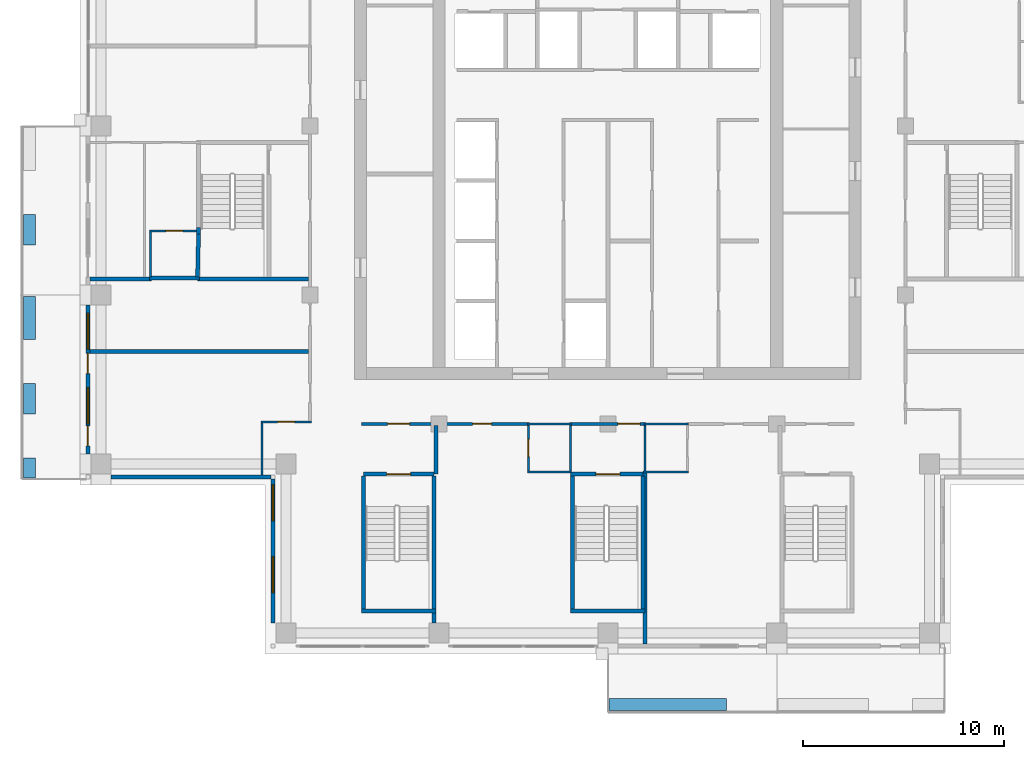
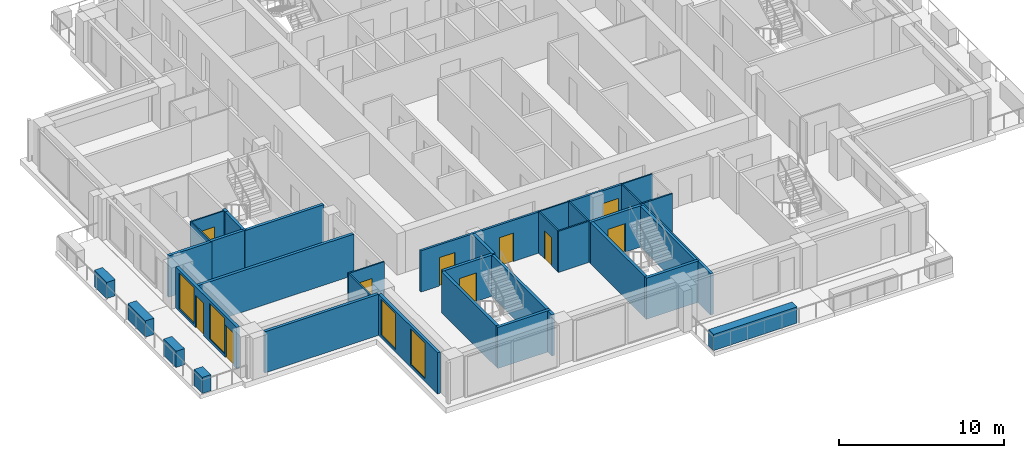
# One storey, part 8 of 17: 37 walls, 10 doors, 4 windows, 14 openings.
"""IFC4 building model written with IfcOpenShell, lengths in metres."""

from ifc_helpers import new_model, si_unit, direction, frame, frame_2d, origin, place, context, subcontext, project, spatial, rectangle, extrude, material, layer, layer_set, type_object, element, fill, save


model = new_model("IFC4")

# Units and contexts
model_context = context("Model", 3, precision=1e-05, world=origin(), true_north=direction((0.0, 1.0)))
body_context = subcontext(model_context, "Body", "Model", "MODEL_VIEW")
ifc_project = project(units=[si_unit("LENGTHUNIT", "METRE"), si_unit("AREAUNIT", "SQUARE_METRE"), si_unit("VOLUMEUNIT", "CUBIC_METRE"), si_unit("PLANEANGLEUNIT", "RADIAN"), si_unit("MASSUNIT", "GRAM", prefix="KILO")], contexts=[model_context])

# Site, building, storey
site_placement = place(None, origin())
site = spatial("IfcSite", under=ifc_project, at=site_placement, CompositionType="ELEMENT")
building_placement = place(site_placement, origin())
building = spatial("IfcBuilding", under=site, at=building_placement, Name="Vermilion Ogive Tower", CompositionType="ELEMENT")
storey_placement = place(building_placement, frame((0.0, 0.0, 203.14990234375)))
storey = spatial("IfcBuildingStorey", under=building, at=storey_placement, Name="L53", CompositionType="ELEMENT", Elevation=203.14990234375)

# Walls
ifc_material_1 = material(Name="Gypsum board partition on steel studs", Category="steel")
ifc_layer_1 = layer(ifc_material_1, 0.10009765625)
ifc_layer_set_1 = layer_set([ifc_layer_1], Name="Partition 100 bath")
wall_type_1 = type_object("IfcWallType", Name="Partition 100 bath", PredefinedType="PARTITIONING", material=ifc_layer_set_1)
wall_1_placement = place(storey_placement, frame((-4.0, -13.0, 0.0), z_axis=(0.0, 0.0, 1.0), x_axis=(1.0, 0.0, 0.0)))
element("IfcWall", 1, at=wall_1_placement, inside=storey, type_object=wall_type_1, Name="L53-W-W005", PredefinedType="PARTITIONING", context=body_context, shape_type="SweptSolid", body=[
    extrude(rectangle(XDim=2.199951171875, YDim=0.10009765625, at=frame_2d((1.10009765625, 0.0))), origin(), (0.0, 0.0, 1.0), 3.050048828125),
])
wall_2_placement = place(storey_placement, frame((1.75, -13.0, 0.0), z_axis=(0.0, 0.0, 1.0), x_axis=(1.0, 0.0, 0.0)))
element("IfcWall", 2, at=wall_2_placement, inside=storey, type_object=wall_type_1, Name="L53-W-W006", PredefinedType="PARTITIONING", context=body_context, shape_type="SweptSolid", body=[
    extrude(rectangle(XDim=2.25, YDim=0.10009765625, at=frame_2d((1.125, 0.0))), origin(), (0.0, 0.0, 1.0), 3.050048828125),
])
for number, where, z_axis, x_axis, name in (
    (3, (-4.0, -10.60009765625, 0.0), (0.0, 0.0, 1.0), (1.0, 0.0, 0.0), "L53-W-W008"),
    (4, (1.800048828125, -10.60009765625, 0.0), (0.0, 0.0, 1.0), (1.0, 0.0, 0.0), "L53-W-W010"),
):
    element("IfcWall", number, at=place(storey_placement, frame(where, z_axis=z_axis, x_axis=x_axis)), inside=storey, type_object=wall_type_1, Name=name, PredefinedType="PARTITIONING", context=body_context, shape_type="SweptSolid", body=[
        extrude(rectangle(XDim=2.199951171875, YDim=0.10009765625, at=frame_2d((1.10009765625, 0.0))), origin(), (0.0, 0.0, 1.0), 3.050048828125),
    ])

# Wall, opening, door
wall_3_placement = place(storey_placement, frame((-17.25, -10.5, 0.0), z_axis=(0.0, 0.0, 1.0), x_axis=(1.0, 0.0, 0.0)))
wall_3 = element("IfcWall", 5, at=wall_3_placement, inside=storey, type_object=wall_type_1, Name="L53-W-W012", PredefinedType="PARTITIONING", context=body_context, shape_type="SweptSolid", body=[
    extrude(rectangle(XDim=2.52490234375, YDim=0.10009765625, at=frame_2d((1.262451171875, 0.0))), origin(), (0.0, 0.0, 1.0), 3.050048828125),
])
opening_1_placement = place(wall_3_placement, frame((0.824951171875, 0.0, 0.0)))
opening_1 = element("IfcOpeningElement", 6, at=opening_1_placement, cuts=wall_3, Name="Opening D4G4002", PredefinedType="OPENING", context=body_context, shape_type="SweptSolid", body=[
    extrude(rectangle(XDim=0.85009765625, YDim=2.10009765625, at=frame_2d((0.425048828125, 1.050048828125))), frame((0.0, 0.06005859375, 0.0), z_axis=(0.0, -1.0, 0.0), x_axis=(1.0, 0.0, 0.0)), (0.0, 0.0, 1.0), 0.1201171875),
])
ifc_material_2 = material(Name="Timber door leaf", Category="wood")
door_type_1 = type_object("IfcDoorType", Name="Bath door 850 x 2100 FD30", OperationType="SINGLE_SWING_LEFT", PredefinedType="DOOR", material=ifc_material_2)
door_1_placement = place(opening_1_placement, origin())
door_1 = element("IfcDoor", 7, at=door_1_placement, inside=storey, type_object=door_type_1, Name="L53-D-D002", OperationType="SINGLE_SWING_RIGHT", OverallHeight=2.10009765625, OverallWidth=0.85009765625, PredefinedType="DOOR", context=body_context, shape_type="SweptSolid", body=[
    extrude(rectangle(XDim=0.85009765625, YDim=2.10009765625, at=frame_2d((0.425048828125, 1.050048828125))), frame((0.0, 0.02490234375, 0.0), z_axis=(0.0, -1.0, 0.0), x_axis=(1.0, 0.0, 0.0)), (0.0, 0.0, 1.0), 0.050048828125),
])
fill(opening_1, door_1)

wall_4_placement = place(storey_placement, frame((-22.800048828125, -1.0, 0.0), z_axis=(0.0, 0.0, 1.0), x_axis=(1.0, 0.0, 0.0)))
wall_4 = element("IfcWall", 8, at=wall_4_placement, inside=storey, type_object=wall_type_1, Name="L53-W-W021", PredefinedType="PARTITIONING", context=body_context, shape_type="SweptSolid", body=[
    extrude(rectangle(XDim=2.35009765625, YDim=0.10009765625, at=frame_2d((1.175048828125, 0.0))), origin(), (0.0, 0.0, 1.0), 3.050048828125),
])
opening_2_placement = place(wall_4_placement, frame((0.824951171875, 0.0, 0.0)))
opening_2 = element("IfcOpeningElement", 9, at=opening_2_placement, cuts=wall_4, Name="Opening D4G4006", PredefinedType="OPENING", context=body_context, shape_type="SweptSolid", body=[
    extrude(rectangle(XDim=0.85009765625, YDim=2.10009765625, at=frame_2d((0.425048828125, 1.050048828125))), frame((0.0, 0.06005859375, 0.0), z_axis=(0.0, -1.0, 0.0), x_axis=(1.0, 0.0, 0.0)), (0.0, 0.0, 1.0), 0.1201171875),
])
door_2_placement = place(opening_2_placement, origin())
door_2 = element("IfcDoor", 10, at=door_2_placement, inside=storey, type_object=door_type_1, Name="L53-D-D006", OperationType="SINGLE_SWING_RIGHT", OverallHeight=2.10009765625, OverallWidth=0.85009765625, PredefinedType="DOOR", context=body_context, shape_type="SweptSolid", body=[
    extrude(rectangle(XDim=0.85009765625, YDim=2.10009765625, at=frame_2d((0.425048828125, 1.050048828125))), frame((0.0, 0.02490234375, 0.0), z_axis=(0.0, -1.0, 0.0), x_axis=(1.0, 0.0, 0.0)), (0.0, 0.0, 1.0), 0.050048828125),
])
fill(opening_2, door_2)

# Walls
wall_5_placement = place(storey_placement, frame((-22.75, -3.300048828125, 0.0), z_axis=(0.0, 0.0, 1.0), x_axis=(0.0, 1.0, 0.0)))
element("IfcWall", 11, at=wall_5_placement, inside=storey, type_object=wall_type_1, Name="L53-W-W037", PredefinedType="PARTITIONING", context=body_context, shape_type="SweptSolid", body=[
    extrude(rectangle(XDim=2.25, YDim=0.10009765625, at=frame_2d((1.125, 0.0))), origin(), (0.0, 0.0, 1.0), 3.050048828125),
])
wall_6_placement = place(storey_placement, frame((-17.199951171875, -13.14990234375, 0.0), z_axis=(0.0, 0.0, 1.0), x_axis=(0.0, 1.0, 0.0)))
element("IfcWall", 12, at=wall_6_placement, inside=storey, type_object=wall_type_1, Name="L53-W-W041", PredefinedType="PARTITIONING", context=body_context, shape_type="SweptSolid", body=[
    extrude(rectangle(XDim=2.599853515625, YDim=0.10009765625, at=frame_2d((1.2998046875, 0.0))), origin(), (0.0, 0.0, 1.0), 3.050048828125),
])

# Wall, opening, door
wall_7_placement = place(storey_placement, frame((-3.949951171875, -12.949951171875, 0.0), z_axis=(0.0, 0.0, 1.0), x_axis=(0.0, 1.0, 0.0)))
wall_7 = element("IfcWall", 13, at=wall_7_placement, inside=storey, type_object=wall_type_1, Name="L53-W-W047", PredefinedType="PARTITIONING", context=body_context, shape_type="SweptSolid", body=[
    extrude(rectangle(XDim=2.27490234375, YDim=0.10009765625, at=frame_2d((1.137451171875, 0.0))), origin(), (0.0, 0.0, 1.0), 3.050048828125),
])
opening_3_placement = place(wall_7_placement, frame((0.724853515625, 0.0, 0.0)))
opening_3 = element("IfcOpeningElement", 14, at=opening_3_placement, cuts=wall_7, Name="Opening D4G4012", PredefinedType="OPENING", context=body_context, shape_type="SweptSolid", body=[
    extrude(rectangle(XDim=0.85009765625, YDim=2.10009765625, at=frame_2d((0.425048828125, 1.050048828125))), frame((0.0, 0.06005859375, 0.0), z_axis=(0.0, -1.0, 0.0), x_axis=(1.0, 0.0, 0.0)), (0.0, 0.0, 1.0), 0.1201171875),
])
door_3_placement = place(opening_3_placement, origin())
door_3 = element("IfcDoor", 15, at=door_3_placement, inside=storey, type_object=door_type_1, Name="L53-D-D012", OperationType="SINGLE_SWING_RIGHT", OverallHeight=2.10009765625, OverallWidth=0.85009765625, PredefinedType="DOOR", context=body_context, shape_type="SweptSolid", body=[
    extrude(rectangle(XDim=0.85009765625, YDim=2.10009765625, at=frame_2d((0.425048828125, 1.050048828125))), frame((0.0, 0.02490234375, 0.0), z_axis=(0.0, -1.0, 0.0), x_axis=(1.0, 0.0, 0.0)), (0.0, 0.0, 1.0), 0.050048828125),
])
fill(opening_3, door_3)

# Walls
for number, where, z_axis, x_axis, name in (
    (16, (-1.85009765625, -12.949951171875, 0.0), (0.0, 0.0, 1.0), (0.0, 1.0, 0.0), "L53-W-W048"),
    (17, (1.85009765625, -12.949951171875, 0.0), (0.0, 0.0, 1.0), (0.0, 1.0, 0.0), "L53-W-W052"),
):
    element("IfcWall", number, at=place(storey_placement, frame(where, z_axis=z_axis, x_axis=x_axis)), inside=storey, type_object=wall_type_1, Name=name, PredefinedType="PARTITIONING", context=body_context, shape_type="SweptSolid", body=[
        extrude(rectangle(XDim=2.27490234375, YDim=0.10009765625, at=frame_2d((1.137451171875, 0.0))), origin(), (0.0, 0.0, 1.0), 3.050048828125),
    ])

# Wall, openings, doors
ifc_material_3 = material(Name="Gypsum board partition on steel studs", Category="steel")
ifc_layer_2 = layer(ifc_material_3, 0.14990234375)
ifc_layer_set_2 = layer_set([ifc_layer_2], Name="Partition 150 corridor")
wall_type_2 = type_object("IfcWallType", Name="Partition 150 corridor", PredefinedType="PARTITIONING", material=ifc_layer_set_2)
wall_8_placement = place(storey_placement, frame((-12.25, -10.60009765625, 0.0), z_axis=(0.0, 0.0, 1.0), x_axis=(1.0, 0.0, 0.0)))
wall_8 = element("IfcWall", 18, at=wall_8_placement, inside=storey, type_object=wall_type_2, Name="L53-W-W007", PredefinedType="PARTITIONING", context=body_context, shape_type="SweptSolid", body=[
    extrude(rectangle(XDim=8.35009765625, YDim=0.14990234375, at=frame_2d((4.175048828125, 0.0))), origin(), (0.0, 0.0, 1.0), 3.050048828125),
])
opening_4_placement = place(wall_8_placement, frame((5.52490234375, 0.0, 0.0)))
opening_4 = element("IfcOpeningElement", 19, at=opening_4_placement, cuts=wall_8, Name="Opening D4G4011", PredefinedType="OPENING", context=body_context, shape_type="SweptSolid", body=[
    extrude(rectangle(XDim=0.949951171875, YDim=2.10009765625, at=frame_2d((0.47509765625, 1.050048828125))), frame((0.0, 0.0849609375, 0.0), z_axis=(0.0, -1.0, 0.0), x_axis=(1.0, 0.0, 0.0)), (0.0, 0.0, 1.0), 0.169921875),
])
opening_5_placement = place(wall_8_placement, frame((1.300048828125, 0.0, 0.0)))
opening_5 = element("IfcOpeningElement", 20, at=opening_5_placement, cuts=wall_8, Name="Opening D4G4025", PredefinedType="OPENING", context=body_context, shape_type="SweptSolid", body=[
    extrude(rectangle(XDim=1.10009765625, YDim=2.10009765625, at=frame_2d((0.550048828125, 1.050048828125))), frame((0.0, 0.0849609375, 0.0), z_axis=(0.0, -1.0, 0.0), x_axis=(1.0, 0.0, 0.0)), (0.0, 0.0, 1.0), 0.169921875),
])
ifc_material_4 = material(Name="Timber door leaf", Category="wood")
door_type_2 = type_object("IfcDoorType", Name="Stair door 1100 x 2100 FD60S", OperationType="SINGLE_SWING_LEFT", PredefinedType="DOOR", material=ifc_material_4)
door_4_placement = place(opening_5_placement, origin())
door_4 = element("IfcDoor", 21, at=door_4_placement, inside=storey, type_object=door_type_2, Name="L53-D-D025", OperationType="SINGLE_SWING_RIGHT", OverallHeight=2.10009765625, OverallWidth=1.10009765625, PredefinedType="DOOR", context=body_context, shape_type="SweptSolid", body=[
    extrude(rectangle(XDim=1.10009765625, YDim=2.10009765625, at=frame_2d((0.550048828125, 1.050048828125))), frame((0.0, 0.02490234375, 0.0), z_axis=(0.0, -1.0, 0.0), x_axis=(1.0, 0.0, 0.0)), (0.0, 0.0, 1.0), 0.050048828125),
])
fill(opening_5, door_4)
ifc_material_5 = material(Name="Timber door leaf", Category="wood")
door_type_3 = type_object("IfcDoorType", Name="Unit door 950 x 2100 FD30S", OperationType="SINGLE_SWING_LEFT", PredefinedType="DOOR", material=ifc_material_5)
door_5_placement = place(opening_4_placement, origin())
door_5 = element("IfcDoor", 22, at=door_5_placement, inside=storey, type_object=door_type_3, Name="L53-D-D011", OperationType="SINGLE_SWING_LEFT", OverallHeight=2.10009765625, OverallWidth=0.949951171875, PredefinedType="DOOR", context=body_context, shape_type="SweptSolid", body=[
    extrude(rectangle(XDim=0.949951171875, YDim=2.10009765625, at=frame_2d((0.47509765625, 1.050048828125))), frame((0.0, 0.02490234375, 0.0), z_axis=(0.0, -1.0, 0.0), x_axis=(1.0, 0.0, 0.0)), (0.0, 0.0, 1.0), 0.050048828125),
])
fill(opening_4, door_5)

# Wall, opening, door
wall_9_placement = place(storey_placement, frame((-1.89990234375, -10.60009765625, 0.0), z_axis=(0.0, 0.0, 1.0), x_axis=(1.0, 0.0, 0.0)))
wall_9 = element("IfcWall", 23, at=wall_9_placement, inside=storey, type_object=wall_type_2, Name="L53-W-W009", PredefinedType="PARTITIONING", context=body_context, shape_type="SweptSolid", body=[
    extrude(rectangle(XDim=3.7998046875, YDim=0.14990234375, at=frame_2d((1.89990234375, 0.0))), origin(), (0.0, 0.0, 1.0), 3.050048828125),
])
opening_6_placement = place(wall_9_placement, frame((2.39990234375, 0.0, 0.0)))
opening_6 = element("IfcOpeningElement", 24, at=opening_6_placement, cuts=wall_9, Name="Opening D4G4027", PredefinedType="OPENING", context=body_context, shape_type="SweptSolid", body=[
    extrude(rectangle(XDim=1.10009765625, YDim=2.10009765625, at=frame_2d((0.550048828125, 1.050048828125))), frame((0.0, 0.0849609375, 0.0), z_axis=(0.0, -1.0, 0.0), x_axis=(1.0, 0.0, 0.0)), (0.0, 0.0, 1.0), 0.169921875),
])
door_6_placement = place(opening_6_placement, origin())
door_6 = element("IfcDoor", 25, at=door_6_placement, inside=storey, type_object=door_type_2, Name="L53-D-D027", OperationType="SINGLE_SWING_LEFT", OverallHeight=2.10009765625, OverallWidth=1.10009765625, PredefinedType="DOOR", context=body_context, shape_type="SweptSolid", body=[
    extrude(rectangle(XDim=1.10009765625, YDim=2.10009765625, at=frame_2d((0.550048828125, 1.050048828125))), frame((0.0, 0.02490234375, 0.0), z_axis=(0.0, -1.0, 0.0), x_axis=(1.0, 0.0, 0.0)), (0.0, 0.0, 1.0), 0.050048828125),
])
fill(opening_6, door_6)

# Walls
ifc_material_6 = material(Name="Gypsum board partition on steel studs", Category="steel")
ifc_layer_3 = layer(ifc_material_6, 0.199951171875)
ifc_layer_set_3 = layer_set([ifc_layer_3], Name="Partition 200 party")
wall_type_3 = type_object("IfcWallType", Name="Partition 200 party", PredefinedType="PARTITIONING", material=ifc_layer_set_3)
wall_10_placement = place(storey_placement, frame((-25.75, -7.0, 0.0), z_axis=(0.0, 0.0, 1.0), x_axis=(1.0, 0.0, 0.0)))
element("IfcWall", 26, at=wall_10_placement, inside=storey, type_object=wall_type_3, Name="L53-W-W014", PredefinedType="PARTITIONING", context=body_context, shape_type="SweptSolid", body=[
    extrude(rectangle(XDim=10.875, YDim=0.199951171875, at=frame_2d((5.4375, 0.0))), origin(), (0.0, 0.0, 1.0), 3.050048828125),
])
wall_11_placement = place(storey_placement, frame((-25.75, -3.39990234375, 0.0), z_axis=(0.0, 0.0, 1.0), x_axis=(1.0, 0.0, 0.0)))
element("IfcWall", 27, at=wall_11_placement, inside=storey, type_object=wall_type_3, Name="L53-W-W016", PredefinedType="PARTITIONING", context=body_context, shape_type="SweptSolid", body=[
    extrude(rectangle(XDim=3.050048828125, YDim=0.199951171875, at=frame_2d((1.52490234375, 0.0))), origin(), (0.0, 0.0, 1.0), 3.050048828125),
])
wall_12_placement = place(storey_placement, frame((-8.550048828125, -13.10009765625, 0.0), z_axis=(0.0, 0.0, 1.0), x_axis=(0.0, 1.0, 0.0)))
element("IfcWall", 28, at=wall_12_placement, inside=storey, type_object=wall_type_3, Name="L53-W-W046", PredefinedType="PARTITIONING", context=body_context, shape_type="SweptSolid", body=[
    extrude(rectangle(XDim=2.425048828125, YDim=0.199951171875, at=frame_2d((1.21240234375, 0.0))), origin(), (0.0, 0.0, 1.0), 3.050048828125),
])
ifc_material_7 = material(Name="Concrete B60", Category="concrete")
ifc_layer_4 = layer(ifc_material_7, 0.199951171875)
ifc_layer_set_4 = layer_set([ifc_layer_4], Name="Stair shaft wall 200 Concrete B60")
wall_type_4 = type_object("IfcWallType", Name="Stair shaft wall 200 Concrete B60", PredefinedType="SOLIDWALL", material=ifc_layer_set_4)
wall_13_placement = place(storey_placement, frame((-1.847900390625, -19.89990234375, 0.0), z_axis=(0.0, 0.0, 1.0), x_axis=(1.0, 0.0, 0.0)))
element("IfcWall", 29, at=wall_13_placement, inside=storey, type_object=wall_type_4, Name="L53-W-W001", PredefinedType="SOLIDWALL", context=body_context, shape_type="SweptSolid", body=[
    extrude(rectangle(XDim=3.69580078125, YDim=0.199951171875, at=frame_2d((1.847900390625, 0.0))), origin(), (0.0, 0.0, 1.0), 3.050048828125),
])

# Wall, opening, door
wall_14_placement = place(storey_placement, frame((-12.14990234375, -13.10009765625, 0.0), z_axis=(0.0, 0.0, 1.0), x_axis=(1.0, 0.0, 0.0)))
wall_14 = element("IfcWall", 30, at=wall_14_placement, inside=storey, type_object=wall_type_4, Name="L53-W-W002", PredefinedType="SOLIDWALL", context=body_context, shape_type="SweptSolid", body=[
    extrude(rectangle(XDim=3.5, YDim=0.199951171875, at=frame_2d((1.75, 0.0))), origin(), (0.0, 0.0, 1.0), 3.050048828125),
])
opening_7_placement = place(wall_14_placement, frame((1.14990234375, 0.0, 0.0)))
opening_7 = element("IfcOpeningElement", 31, at=opening_7_placement, cuts=wall_14, Name="Opening D4G4026", PredefinedType="OPENING", context=body_context, shape_type="SweptSolid", body=[
    extrude(rectangle(XDim=1.199951171875, YDim=2.10009765625, at=frame_2d((0.60009765625, 1.050048828125))), frame((0.0, 0.10986328125, 0.0), z_axis=(0.0, -1.0, 0.0), x_axis=(1.0, 0.0, 0.0)), (0.0, 0.0, 1.0), 0.219970703125),
])
ifc_material_8 = material(Name="Timber door leaf", Category="wood")
door_type_4 = type_object("IfcDoorType", Name="Stair door 1200 x 2100 FD60S", OperationType="SINGLE_SWING_LEFT", PredefinedType="DOOR", material=ifc_material_8)
door_7_placement = place(opening_7_placement, origin())
door_7 = element("IfcDoor", 32, at=door_7_placement, inside=storey, type_object=door_type_4, Name="L53-D-D026", OperationType="SINGLE_SWING_RIGHT", OverallHeight=2.10009765625, OverallWidth=1.199951171875, PredefinedType="DOOR", context=body_context, shape_type="SweptSolid", body=[
    extrude(rectangle(XDim=1.199951171875, YDim=2.10009765625, at=frame_2d((0.60009765625, 1.050048828125))), frame((0.0, 0.02490234375, 0.0), z_axis=(0.0, -1.0, 0.0), x_axis=(1.0, 0.0, 0.0)), (0.0, 0.0, 1.0), 0.050048828125),
])
fill(opening_7, door_7)

wall_15_placement = place(storey_placement, frame((-1.847900390625, -13.10009765625, 0.0), z_axis=(0.0, 0.0, 1.0), x_axis=(1.0, 0.0, 0.0)))
wall_15 = element("IfcWall", 33, at=wall_15_placement, inside=storey, type_object=wall_type_4, Name="L53-W-W003", PredefinedType="SOLIDWALL", context=body_context, shape_type="SweptSolid", body=[
    extrude(rectangle(XDim=3.595947265625, YDim=0.199951171875, at=frame_2d((1.7978515625, 0.0))), origin(), (0.0, 0.0, 1.0), 3.050048828125),
])
opening_8_placement = place(wall_15_placement, frame((1.247802734375, 0.0, 0.0)))
opening_8 = element("IfcOpeningElement", 34, at=opening_8_placement, cuts=wall_15, Name="Opening D4G4028", PredefinedType="OPENING", context=body_context, shape_type="SweptSolid", body=[
    extrude(rectangle(XDim=1.199951171875, YDim=2.10009765625, at=frame_2d((0.60009765625, 1.050048828125))), frame((0.0, 0.10986328125, 0.0), z_axis=(0.0, -1.0, 0.0), x_axis=(1.0, 0.0, 0.0)), (0.0, 0.0, 1.0), 0.219970703125),
])
door_8_placement = place(opening_8_placement, origin())
door_8 = element("IfcDoor", 35, at=door_8_placement, inside=storey, type_object=door_type_4, Name="L53-D-D028", OperationType="SINGLE_SWING_RIGHT", OverallHeight=2.10009765625, OverallWidth=1.199951171875, PredefinedType="DOOR", context=body_context, shape_type="SweptSolid", body=[
    extrude(rectangle(XDim=1.199951171875, YDim=2.10009765625, at=frame_2d((0.60009765625, 1.050048828125))), frame((0.0, 0.02490234375, 0.0), z_axis=(0.0, -1.0, 0.0), x_axis=(1.0, 0.0, 0.0)), (0.0, 0.0, 1.0), 0.050048828125),
])
fill(opening_8, door_8)

# Walls
wall_16_placement = place(storey_placement, frame((-22.800048828125, -3.349853515625, 0.0), z_axis=(0.0, 0.0, 1.0), x_axis=(1.0, 0.0, 0.0)))
element("IfcWall", 36, at=wall_16_placement, inside=storey, type_object=wall_type_4, Name="L53-W-W017", PredefinedType="SOLIDWALL", context=body_context, shape_type="SweptSolid", body=[
    extrude(rectangle(XDim=2.5, YDim=0.199951171875, at=frame_2d((1.25, 0.0))), origin(), (0.0, 0.0, 1.0), 3.050048828125),
])
wall_17_placement = place(storey_placement, frame((-20.400146484375, -3.300048828125, 0.0), z_axis=(0.0, 0.0, 1.0), x_axis=(0.022687568549, 0.99974260399, 0.0)))
element("IfcWall", 37, at=wall_17_placement, inside=storey, type_object=wall_type_4, Name="L53-W-W038", PredefinedType="SOLIDWALL", context=body_context, shape_type="SweptSolid", body=[
    extrude(rectangle(XDim=2.130615234375, YDim=0.199951171875, at=frame_2d((1.0654296875, 0.0))), origin(), (0.0, 0.0, 1.0), 3.050048828125),
])
for number, where, z_axis, x_axis, name in (
    (38, (-1.75, -19.798095703125, 0.0), (0.0, 0.0, 1.0), (0.0, 1.0, 0.0), "L53-W-W049"),
    (39, (1.75, -19.798095703125, 0.0), (0.0, 0.0, 1.0), (0.0, 1.0, 0.0), "L53-W-W050"),
):
    element("IfcWall", number, at=place(storey_placement, frame(where, z_axis=z_axis, x_axis=x_axis)), inside=storey, type_object=wall_type_4, Name=name, PredefinedType="SOLIDWALL", context=body_context, shape_type="SweptSolid", body=[
        extrude(rectangle(XDim=6.59619140625, YDim=0.199951171875, at=frame_2d((3.298095703125, 0.0))), origin(), (0.0, 0.0, 1.0), 3.050048828125),
    ])
wall_18_placement = place(storey_placement, frame((-12.25, -19.89990234375, 0.0), z_axis=(0.0, 0.0, 1.0), x_axis=(1.0, 0.0, 0.0)))
element("IfcWall", 40, at=wall_18_placement, inside=storey, type_object=wall_type_4, Name="L53-SW-ST3-S1", PredefinedType="SOLIDWALL", context=body_context, shape_type="SweptSolid", body=[
    extrude(rectangle(XDim=3.699951171875, YDim=0.199951171875, at=frame_2d((1.85009765625, 0.0))), origin(), (0.0, 0.0, 1.0), 3.050048828125),
])
wall_19_placement = place(storey_placement, frame((-12.14990234375, -19.800048828125, 0.0), z_axis=(0.0, 0.0, 1.0), x_axis=(0.0, 1.0, 0.0)))
element("IfcWall", 41, at=wall_19_placement, inside=storey, type_object=wall_type_4, Name="L53-SW-ST3-W1", PredefinedType="SOLIDWALL", context=body_context, shape_type="SweptSolid", body=[
    extrude(rectangle(XDim=6.60009765625, YDim=0.199951171875, at=frame_2d((3.300048828125, 0.0))), origin(), (0.0, 0.0, 1.0), 3.050048828125),
])
wall_20_placement = place(storey_placement, frame((-8.64990234375, -20.5, 0.0), z_axis=(0.0, 0.0, 1.0), x_axis=(0.0, 1.0, 0.0)))
element("IfcWall", 42, at=wall_20_placement, inside=storey, type_object=wall_type_4, Name="L53-SW-ST3-E1", PredefinedType="SOLIDWALL", context=body_context, shape_type="SweptSolid", body=[
    extrude(rectangle(XDim=7.300048828125, YDim=0.199951171875, at=frame_2d((3.64990234375, 0.0))), origin(), (0.0, 0.0, 1.0), 3.050048828125),
])
wall_21_placement = place(storey_placement, frame((-20.35009765625, -1.169921875, 0.0), z_axis=(0.0, 0.0, 1.0), x_axis=(0.0, 1.0, 0.0)))
element("IfcWall", 43, at=wall_21_placement, inside=storey, type_object=wall_type_4, Name="L53-SW-ST9-W1", PredefinedType="SOLIDWALL", context=body_context, shape_type="SweptSolid", body=[
    extrude(rectangle(XDim=0.33984375, YDim=0.199951171875, at=frame_2d((0.169921875, 0.0))), origin(), (0.0, 0.0, 1.0), 3.050048828125),
])
wall_22_placement = place(storey_placement, frame((1.85009765625, -21.550048828125, 0.0), z_axis=(0.0, 0.0, 1.0), x_axis=(0.0, 1.0, 0.0)))
element("IfcWall", 44, at=wall_22_placement, inside=storey, type_object=wall_type_4, Name="L53-W-W051-A", PredefinedType="SOLIDWALL", context=body_context, shape_type="SweptSolid", body=[
    extrude(rectangle(XDim=8.5, YDim=0.199951171875, at=frame_2d((4.25, 0.0))), origin(), (0.0, 0.0, 1.0), 3.050048828125),
])
wall_23_placement = place(storey_placement, frame((-20.39990234375, -3.39990234375, 0.0), z_axis=(0.0, 0.0, 1.0), x_axis=(1.0, 0.0, 0.0)))
element("IfcWall", 45, at=wall_23_placement, inside=storey, type_object=wall_type_4, Name="L53-W-W018-A", PredefinedType="SOLIDWALL", context=body_context, shape_type="SweptSolid", body=[
    extrude(rectangle(XDim=5.52490234375, YDim=0.199951171875, at=frame_2d((2.762451171875, 0.0))), origin(), (0.0, 0.0, 1.0), 3.050048828125),
])
ifc_material_9 = material(Name="Concrete B40", Category="concrete")
ifc_layer_5 = layer(ifc_material_9, 0.60009765625)
ifc_layer_set_5 = layer_set([ifc_layer_5], Name="Structural planter")
wall_type_5 = type_object("IfcWallType", Name="Structural planter", PredefinedType="USERDEFINED", material=ifc_layer_set_5)
wall_24_placement = place(storey_placement, frame((0.06005859375, -24.550048828125, -0.039794921875), z_axis=(0.0, 0.0, 1.0), x_axis=(1.0, 0.0, 0.0)))
element("IfcWall", 46, at=wall_24_placement, inside=storey, type_object=wall_type_5, Name="Planter S03A1", ObjectType="PLANTER", PredefinedType="USERDEFINED", context=body_context, shape_type="SweptSolid", body=[
    extrude(rectangle(XDim=5.83984375, YDim=0.60009765625, at=frame_2d((2.919921875, 0.0))), origin(), (0.0, 0.0, 1.0), 1.199951171875),
])
wall_25_placement = place(storey_placement, frame((-28.75, -0.199951171875, -0.039794921875), z_axis=(0.0, 0.0, 1.0), x_axis=(0.0, -1.0, 0.0)))
element("IfcWall", 47, at=wall_25_placement, inside=storey, type_object=wall_type_5, Name="Planter W02A2", ObjectType="PLANTER", PredefinedType="USERDEFINED", context=body_context, shape_type="SweptSolid", body=[
    extrude(rectangle(XDim=1.5, YDim=0.60009765625, at=frame_2d((0.75, 0.0))), origin(), (0.0, 0.0, 1.0), 1.199951171875),
])
wall_26_placement = place(storey_placement, frame((-28.75, -4.260009765625, -0.039794921875), z_axis=(0.0, 0.0, 1.0), x_axis=(0.0, -1.0, 0.0)))
element("IfcWall", 48, at=wall_26_placement, inside=storey, type_object=wall_type_5, Name="Planter W03A1", ObjectType="PLANTER", PredefinedType="USERDEFINED", context=body_context, shape_type="SweptSolid", body=[
    extrude(rectangle(XDim=2.139892578125, YDim=0.60009765625, at=frame_2d((1.06982421875, 0.0))), origin(), (0.0, 0.0, 1.0), 1.199951171875),
])
wall_27_placement = place(storey_placement, frame((-28.75, -8.60009765625, -0.039794921875), z_axis=(0.0, 0.0, 1.0), x_axis=(0.0, -1.0, 0.0)))
element("IfcWall", 49, at=wall_27_placement, inside=storey, type_object=wall_type_5, Name="Planter W03A2", ObjectType="PLANTER", PredefinedType="USERDEFINED", context=body_context, shape_type="SweptSolid", body=[
    extrude(rectangle(XDim=1.5, YDim=0.60009765625, at=frame_2d((0.75, 0.0))), origin(), (0.0, 0.0, 1.0), 1.199951171875),
])
wall_28_placement = place(storey_placement, frame((-28.75, -12.300048828125, -0.039794921875), z_axis=(0.0, 0.0, 1.0), x_axis=(0.0, -1.0, 0.0)))
element("IfcWall", 50, at=wall_28_placement, inside=storey, type_object=wall_type_5, Name="Planter W03A3", ObjectType="PLANTER", PredefinedType="USERDEFINED", context=body_context, shape_type="SweptSolid", body=[
    extrude(rectangle(XDim=0.989990234375, YDim=0.60009765625, at=frame_2d((0.4951171875, 0.0))), origin(), (0.0, 0.0, 1.0), 1.199951171875),
])

# Wall, openings, doors, windows
ifc_material_10 = material(Name="Aluminium window wall framing", Category="aluminium")
ifc_layer_6 = layer(ifc_material_10, 0.199951171875)
ifc_layer_set_6 = layer_set([ifc_layer_6], Name="Window wall")
wall_type_6 = type_object("IfcWallType", Name="Window wall", PredefinedType="STANDARD", material=ifc_layer_set_6)
wall_29_placement = place(storey_placement, frame((-25.85009765625, -4.699951171875, 0.0), z_axis=(0.0, 0.0, 1.0), x_axis=(0.0, -1.0, 0.0)))
wall_29 = element("IfcWall", 51, at=wall_29_placement, inside=storey, type_object=wall_type_6, Name="Window wall W3", PredefinedType="STANDARD", context=body_context, shape_type="SweptSolid", body=[
    extrude(rectangle(XDim=7.400146484375, YDim=0.199951171875, at=frame_2d((3.7001953125, 0.0))), origin(), (0.0, 0.0, 1.0), 3.050048828125),
])
opening_9_placement = place(wall_29_placement, frame((4.10009765625, 0.0, 0.199951171875)))
opening_9 = element("IfcOpeningElement", 52, at=opening_9_placement, cuts=wall_29, Name="Opening W1-W97", PredefinedType="OPENING", context=body_context, shape_type="SweptSolid", body=[
    extrude(rectangle(XDim=1.800048828125, YDim=2.64990234375, at=frame_2d((0.89990234375, 1.324951171875))), frame((0.0, 0.10986328125, 0.0), z_axis=(0.0, -1.0, 0.0), x_axis=(1.0, 0.0, 0.0)), (0.0, 0.0, 1.0), 0.219970703125),
])
opening_10_placement = place(wall_29_placement, frame((6.0, 0.0, 0.0)))
opening_10 = element("IfcOpeningElement", 53, at=opening_10_placement, cuts=wall_29, Name="Opening D1-W97", PredefinedType="OPENING", context=body_context, shape_type="SweptSolid", body=[
    extrude(rectangle(XDim=1.0, YDim=2.39990234375, at=frame_2d((0.5, 1.199951171875))), frame((0.0, 0.10986328125, 0.0), z_axis=(0.0, -1.0, 0.0), x_axis=(1.0, 0.0, 0.0)), (0.0, 0.0, 1.0), 0.219970703125),
])
opening_11_placement = place(wall_29_placement, frame((0.39990234375, 0.0, 0.199951171875)))
opening_11 = element("IfcOpeningElement", 54, at=opening_11_placement, cuts=wall_29, Name="Opening W1-W98", PredefinedType="OPENING", context=body_context, shape_type="SweptSolid", body=[
    extrude(rectangle(XDim=1.800048828125, YDim=2.64990234375, at=frame_2d((0.89990234375, 1.324951171875))), frame((0.0, 0.10986328125, 0.0), z_axis=(0.0, -1.0, 0.0), x_axis=(1.0, 0.0, 0.0)), (0.0, 0.0, 1.0), 0.219970703125),
])
opening_12_placement = place(wall_29_placement, frame((2.39990234375, 0.0, 0.0)))
opening_12 = element("IfcOpeningElement", 55, at=opening_12_placement, cuts=wall_29, Name="Opening D1-W98", PredefinedType="OPENING", context=body_context, shape_type="SweptSolid", body=[
    extrude(rectangle(XDim=1.0, YDim=2.39990234375, at=frame_2d((0.5, 1.199951171875))), frame((0.0, 0.10986328125, 0.0), z_axis=(0.0, -1.0, 0.0), x_axis=(1.0, 0.0, 0.0)), (0.0, 0.0, 1.0), 0.219970703125),
])
ifc_material_11 = material(Name="Aluminium framed glazed door", Category="aluminium")
door_type_5 = type_object("IfcDoorType", Name="Balcony door D1", OperationType="SINGLE_SWING_LEFT", PredefinedType="DOOR", material=ifc_material_11)
door_9_placement = place(opening_10_placement, origin())
door_9 = element("IfcDoor", 56, at=door_9_placement, inside=storey, type_object=door_type_5, Name="Balcony door W97", OperationType="SINGLE_SWING_LEFT", OverallHeight=2.39990234375, OverallWidth=1.0, PredefinedType="DOOR", context=body_context, shape_type="SweptSolid", body=[
    extrude(rectangle(XDim=1.0, YDim=2.39990234375, at=frame_2d((0.5, 1.199951171875))), frame((0.0, 0.02490234375, 0.0), z_axis=(0.0, -1.0, 0.0), x_axis=(1.0, 0.0, 0.0)), (0.0, 0.0, 1.0), 0.050048828125),
])
fill(opening_10, door_9)
door_10_placement = place(opening_12_placement, origin())
door_10 = element("IfcDoor", 57, at=door_10_placement, inside=storey, type_object=door_type_5, Name="Balcony door W98", OperationType="SINGLE_SWING_LEFT", OverallHeight=2.39990234375, OverallWidth=1.0, PredefinedType="DOOR", context=body_context, shape_type="SweptSolid", body=[
    extrude(rectangle(XDim=1.0, YDim=2.39990234375, at=frame_2d((0.5, 1.199951171875))), frame((0.0, 0.02490234375, 0.0), z_axis=(0.0, -1.0, 0.0), x_axis=(1.0, 0.0, 0.0)), (0.0, 0.0, 1.0), 0.050048828125),
])
fill(opening_12, door_10)
ifc_material_12 = material(Name="Aluminium framed double glazing", Category="aluminium")
window_type = type_object("IfcWindowType", Name="Guest window W1", PartitioningType="SINGLE_PANEL", PredefinedType="WINDOW", material=ifc_material_12)
window_1_placement = place(opening_9_placement, origin())
window_1 = element("IfcWindow", 58, at=window_1_placement, inside=storey, type_object=window_type, Name="Window W97", OverallHeight=2.64990234375, OverallWidth=1.800048828125, PartitioningType="SINGLE_PANEL", PredefinedType="WINDOW", context=body_context, shape_type="SweptSolid", body=[
    extrude(rectangle(XDim=1.800048828125, YDim=2.64990234375, at=frame_2d((0.89990234375, 1.324951171875))), frame((0.0, 0.030029296875, 0.0), z_axis=(0.0, -1.0, 0.0), x_axis=(1.0, 0.0, 0.0)), (0.0, 0.0, 1.0), 0.06005859375),
])
fill(opening_9, window_1)
window_2_placement = place(opening_11_placement, origin())
window_2 = element("IfcWindow", 59, at=window_2_placement, inside=storey, type_object=window_type, Name="Window W98", OverallHeight=2.64990234375, OverallWidth=1.800048828125, PartitioningType="SINGLE_PANEL", PredefinedType="WINDOW", context=body_context, shape_type="SweptSolid", body=[
    extrude(rectangle(XDim=1.800048828125, YDim=2.64990234375, at=frame_2d((0.89990234375, 1.324951171875))), frame((0.0, 0.030029296875, 0.0), z_axis=(0.0, -1.0, 0.0), x_axis=(1.0, 0.0, 0.0)), (0.0, 0.0, 1.0), 0.06005859375),
])
fill(opening_11, window_2)

# Wall
wall_30_placement = place(storey_placement, frame((-24.699951171875, -13.25, 0.0), z_axis=(0.0, 0.0, 1.0), x_axis=(1.0, 0.0, 0.0)))
element("IfcWall", 60, at=wall_30_placement, inside=storey, type_object=wall_type_6, Name="Window wall X71", PredefinedType="STANDARD", context=body_context, shape_type="SweptSolid", body=[
    extrude(rectangle(XDim=7.949951171875, YDim=0.199951171875, at=frame_2d((3.97509765625, 0.0))), origin(), (0.0, 0.0, 1.0), 3.050048828125),
])

# Wall, openings, windows
wall_31_placement = place(storey_placement, frame((-16.64990234375, -13.35009765625, 0.0), z_axis=(0.0, 0.0, 1.0), x_axis=(0.0, -1.0, 0.0)))
wall_31 = element("IfcWall", 61, at=wall_31_placement, inside=storey, type_object=wall_type_6, Name="Window wall X81", PredefinedType="STANDARD", context=body_context, shape_type="SweptSolid", body=[
    extrude(rectangle(XDim=7.14990234375, YDim=0.199951171875, at=frame_2d((3.574951171875, 0.0))), origin(), (0.0, 0.0, 1.0), 3.050048828125),
])
opening_13_placement = place(wall_31_placement, frame((3.85009765625, 0.0, 0.199951171875)))
opening_13 = element("IfcOpeningElement", 62, at=opening_13_placement, cuts=wall_31, Name="Opening W1-X895", PredefinedType="OPENING", context=body_context, shape_type="SweptSolid", body=[
    extrude(rectangle(XDim=1.800048828125, YDim=2.64990234375, at=frame_2d((0.89990234375, 1.324951171875))), frame((0.0, 0.10986328125, 0.0), z_axis=(0.0, -1.0, 0.0), x_axis=(1.0, 0.0, 0.0)), (0.0, 0.0, 1.0), 0.219970703125),
])
opening_14_placement = place(wall_31_placement, frame((0.27490234375, 0.0, 0.199951171875)))
opening_14 = element("IfcOpeningElement", 63, at=opening_14_placement, cuts=wall_31, Name="Opening W1-X896", PredefinedType="OPENING", context=body_context, shape_type="SweptSolid", body=[
    extrude(rectangle(XDim=1.800048828125, YDim=2.64990234375, at=frame_2d((0.89990234375, 1.324951171875))), frame((0.0, 0.10986328125, 0.0), z_axis=(0.0, -1.0, 0.0), x_axis=(1.0, 0.0, 0.0)), (0.0, 0.0, 1.0), 0.219970703125),
])
window_3_placement = place(opening_13_placement, origin())
window_3 = element("IfcWindow", 64, at=window_3_placement, inside=storey, type_object=window_type, Name="Window X895", OverallHeight=2.64990234375, OverallWidth=1.800048828125, PartitioningType="SINGLE_PANEL", PredefinedType="WINDOW", context=body_context, shape_type="SweptSolid", body=[
    extrude(rectangle(XDim=1.800048828125, YDim=2.64990234375, at=frame_2d((0.89990234375, 1.324951171875))), frame((0.0, 0.030029296875, 0.0), z_axis=(0.0, -1.0, 0.0), x_axis=(1.0, 0.0, 0.0)), (0.0, 0.0, 1.0), 0.06005859375),
])
fill(opening_13, window_3)
window_4_placement = place(opening_14_placement, origin())
window_4 = element("IfcWindow", 65, at=window_4_placement, inside=storey, type_object=window_type, Name="Window X896", OverallHeight=2.64990234375, OverallWidth=1.800048828125, PartitioningType="SINGLE_PANEL", PredefinedType="WINDOW", context=body_context, shape_type="SweptSolid", body=[
    extrude(rectangle(XDim=1.800048828125, YDim=2.64990234375, at=frame_2d((0.89990234375, 1.324951171875))), frame((0.0, 0.030029296875, 0.0), z_axis=(0.0, -1.0, 0.0), x_axis=(1.0, 0.0, 0.0)), (0.0, 0.0, 1.0), 0.06005859375),
])
fill(opening_14, window_4)

save(model, "model.ifc")
